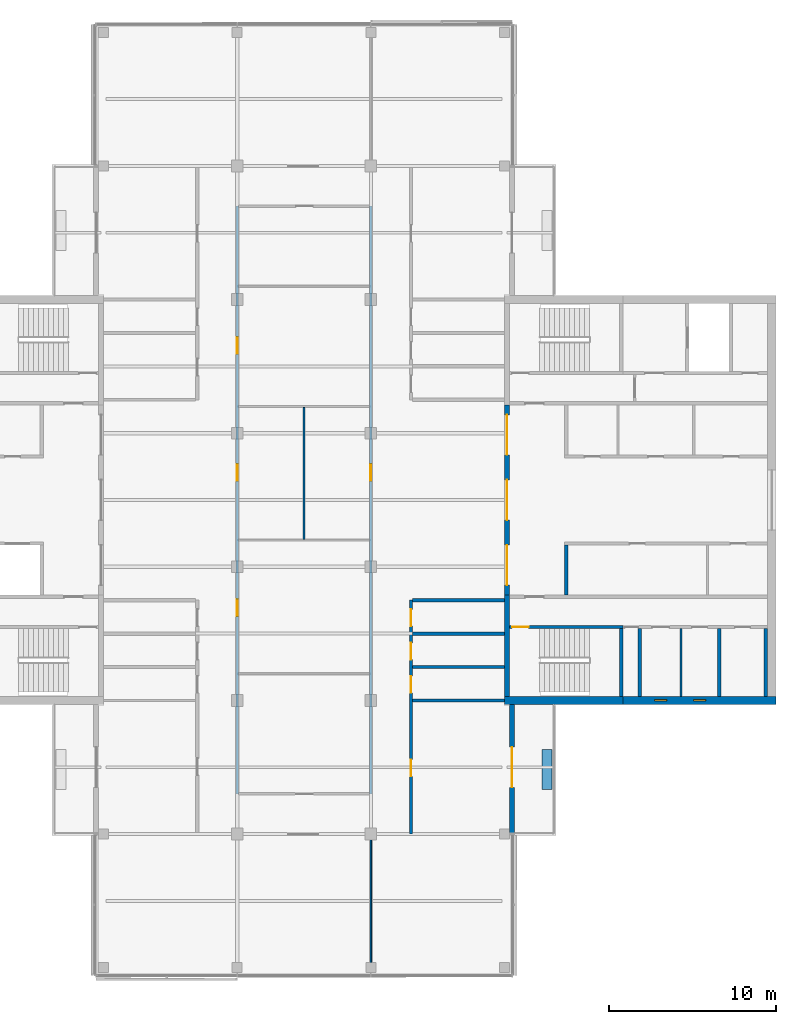
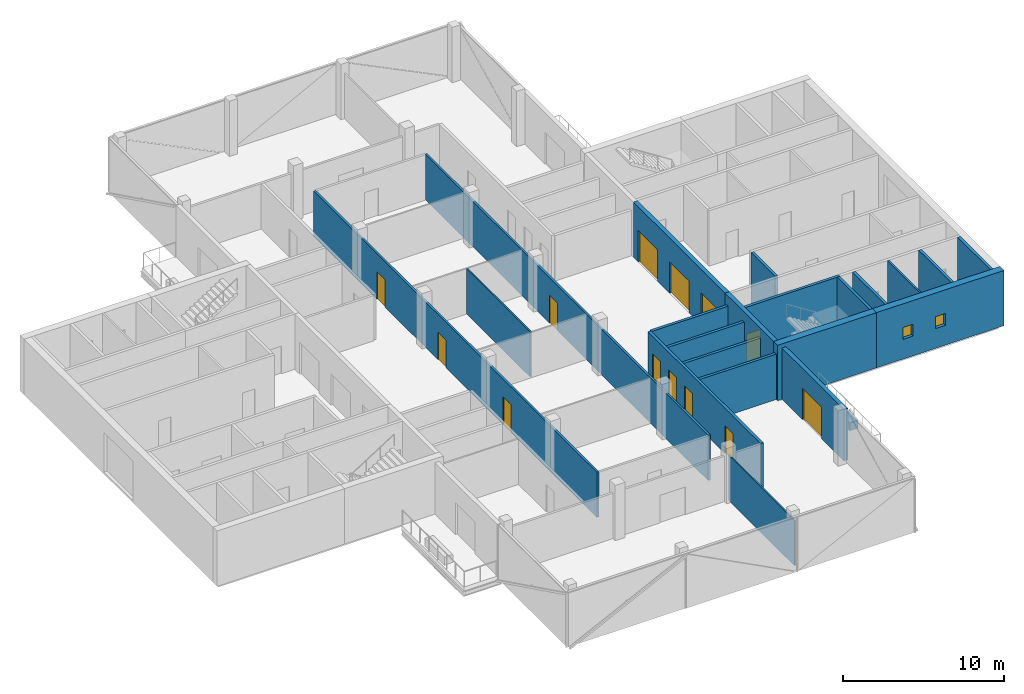
# One storey, part 6 of 12: 22 walls, 13 doors, 2 windows, 15 openings.
"""IFC4 building model written with IfcOpenShell, lengths in metres."""

from ifc_helpers import new_model, si_unit, direction, frame, frame_2d, origin, place, context, subcontext, project, spatial, rectangle, extrude, material, layer, layer_set, constituent, constituent_set, type_object, element, fill, save


model = new_model("IFC4")

# Units and contexts
model_context = context("Model", 3, precision=1e-05, world=origin(), true_north=direction((0.0, 1.0)))
body_context = subcontext(model_context, "Body", "Model", "MODEL_VIEW")
ifc_project = project(units=[si_unit("LENGTHUNIT", "METRE"), si_unit("AREAUNIT", "SQUARE_METRE"), si_unit("VOLUMEUNIT", "CUBIC_METRE"), si_unit("PLANEANGLEUNIT", "RADIAN"), si_unit("MASSUNIT", "GRAM", prefix="KILO")], contexts=[model_context])

# Site, building, storey
site_placement = place(None, origin())
site = spatial("IfcSite", under=ifc_project, at=site_placement, CompositionType="ELEMENT")
building_placement = place(site_placement, origin())
building = spatial("IfcBuilding", under=site, at=building_placement, Name="Crosswind Convention Tower", CompositionType="ELEMENT")
storey_placement = place(building_placement, frame((0.0, 0.0, 245.10009765625)))
storey = spatial("IfcBuildingStorey", under=building, at=storey_placement, Name="L52", CompositionType="ELEMENT", Elevation=245.10009765625)

# Wall
ifc_material_1 = material(Name="Concrete blockwork", Category="masonry")
ifc_layer_1 = layer(ifc_material_1, 0.199951171875)
ifc_layer_set_1 = layer_set([ifc_layer_1], Name="Blockwork partition wall 200")
wall_type_1 = type_object("IfcWallType", Name="Blockwork partition wall 200", PredefinedType="PARTITIONING", material=ifc_layer_set_1)
wall_1_placement = place(storey_placement, frame((145.10009765625, 88.25, 0.0), z_axis=(0.0, 0.0, 1.0), x_axis=(0.0, 1.0, 0.0)))
element("IfcWall", 1, at=wall_1_placement, inside=storey, type_object=wall_type_1, Name="Wall MRSE E L52", PredefinedType="PARTITIONING", context=body_context, shape_type="SweptSolid", body=[
    extrude(rectangle(XDim=4.050048828125, YDim=0.199951171875, at=frame_2d((2.02490234375, 0.0))), origin(), (0.0, 0.0, 1.0), 4.199951171875),
])

# Wall, openings, doors
ifc_layer_2 = layer(ifc_material_1, 0.199951171875)
ifc_layer_set_2 = layer_set([ifc_layer_2], Name="COMPARTMENT WALL 200 BLOCKWORK")
wall_type_2 = type_object("IfcWallType", Name="COMPARTMENT WALL 200 BLOCKWORK", PredefinedType="SOLIDWALL", material=ifc_layer_set_2)
wall_2_placement = place(storey_placement, frame((131.39990234375, 80.0, 0.0), z_axis=(0.0, 0.0, 1.0), x_axis=(0.0, 1.0, 0.0)))
wall_2 = element("IfcWall", 2, at=wall_2_placement, inside=storey, type_object=wall_type_2, Name="Compartment wall WT42", PredefinedType="SOLIDWALL", context=body_context, shape_type="SweptSolid", body=[
    extrude(rectangle(XDim=14.0, YDim=0.199951171875, at=frame_2d((7.0, 0.0))), origin(), (0.0, 0.0, 1.0), 3.442626953125),
])
opening_1_placement = place(wall_2_placement, frame((12.449951171875, 0.0, 0.0)))
opening_1 = element("IfcOpeningElement", 3, at=opening_1_placement, cuts=wall_2, Name="Opening L52-54", PredefinedType="OPENING", context=body_context, shape_type="SweptSolid", body=[
    extrude(rectangle(XDim=1.0, YDim=2.10009765625, at=frame_2d((0.5, 1.050048828125))), frame((0.0, 0.10986328125, 0.0), z_axis=(0.0, -1.0, 0.0), x_axis=(1.0, 0.0, 0.0)), (0.0, 0.0, 1.0), 0.219970703125),
])
opening_2_placement = place(wall_2_placement, frame((10.449951171875, 0.0, 0.0)))
opening_2 = element("IfcOpeningElement", 4, at=opening_2_placement, cuts=wall_2, Name="Opening L52-55", PredefinedType="OPENING", context=body_context, shape_type="SweptSolid", body=[
    extrude(rectangle(XDim=1.0, YDim=2.10009765625, at=frame_2d((0.5, 1.050048828125))), frame((0.0, 0.10986328125, 0.0), z_axis=(0.0, -1.0, 0.0), x_axis=(1.0, 0.0, 0.0)), (0.0, 0.0, 1.0), 0.219970703125),
])
opening_3_placement = place(wall_2_placement, frame((8.449951171875, 0.0, 0.0)))
opening_3 = element("IfcOpeningElement", 5, at=opening_3_placement, cuts=wall_2, Name="Opening L52-56", PredefinedType="OPENING", context=body_context, shape_type="SweptSolid", body=[
    extrude(rectangle(XDim=1.0, YDim=2.10009765625, at=frame_2d((0.5, 1.050048828125))), frame((0.0, 0.10986328125, 0.0), z_axis=(0.0, -1.0, 0.0), x_axis=(1.0, 0.0, 0.0)), (0.0, 0.0, 1.0), 0.219970703125),
])
opening_4_placement = place(wall_2_placement, frame((3.449951171875, 0.0, 0.0)))
opening_4 = element("IfcOpeningElement", 6, at=opening_4_placement, cuts=wall_2, Name="Opening L52-57", PredefinedType="OPENING", context=body_context, shape_type="SweptSolid", body=[
    extrude(rectangle(XDim=1.0, YDim=2.10009765625, at=frame_2d((0.5, 1.050048828125))), frame((0.0, 0.10986328125, 0.0), z_axis=(0.0, -1.0, 0.0), x_axis=(1.0, 0.0, 0.0)), (0.0, 0.0, 1.0), 0.219970703125),
])
ifc_material_2 = material(Name="Steel fire door", Category="steel")
door_type_1 = type_object("IfcDoorType", Name="PLANT ROOM DOOR 1000X2100 FD60", OperationType="NOTDEFINED", PredefinedType="DOOR", material=ifc_material_2)
door_1_placement = place(opening_1_placement, frame((1.0, 0.0, 0.0), z_axis=(0.0, 0.0, 1.0), x_axis=(-1.0, 0.0, 0.0)))
door_1 = element("IfcDoor", 7, at=door_1_placement, inside=storey, type_object=door_type_1, Name="Door L52-54", ObjectType="D43", OperationType="SINGLE_SWING_RIGHT", OverallHeight=2.10009765625, OverallWidth=1.0, PredefinedType="DOOR", context=body_context, shape_type="SweptSolid", body=[
    extrude(rectangle(XDim=1.0, YDim=2.10009765625, at=frame_2d((0.5, 1.050048828125))), frame((0.0, 0.02490234375, 0.0), z_axis=(0.0, -1.0, 0.0), x_axis=(1.0, 0.0, 0.0)), (0.0, 0.0, 1.0), 0.050048828125),
])
fill(opening_1, door_1)
door_2_placement = place(opening_2_placement, frame((1.0, 0.0, 0.0), z_axis=(0.0, 0.0, 1.0), x_axis=(-1.0, 0.0, 0.0)))
door_2 = element("IfcDoor", 8, at=door_2_placement, inside=storey, type_object=door_type_1, Name="Door L52-55", ObjectType="D43", OperationType="SINGLE_SWING_RIGHT", OverallHeight=2.10009765625, OverallWidth=1.0, PredefinedType="DOOR", context=body_context, shape_type="SweptSolid", body=[
    extrude(rectangle(XDim=1.0, YDim=2.10009765625, at=frame_2d((0.5, 1.050048828125))), frame((0.0, 0.02490234375, 0.0), z_axis=(0.0, -1.0, 0.0), x_axis=(1.0, 0.0, 0.0)), (0.0, 0.0, 1.0), 0.050048828125),
])
fill(opening_2, door_2)
door_3_placement = place(opening_3_placement, frame((1.0, 0.0, 0.0), z_axis=(0.0, 0.0, 1.0), x_axis=(-1.0, 0.0, 0.0)))
door_3 = element("IfcDoor", 9, at=door_3_placement, inside=storey, type_object=door_type_1, Name="Door L52-56", ObjectType="D43", OperationType="SINGLE_SWING_RIGHT", OverallHeight=2.10009765625, OverallWidth=1.0, PredefinedType="DOOR", context=body_context, shape_type="SweptSolid", body=[
    extrude(rectangle(XDim=1.0, YDim=2.10009765625, at=frame_2d((0.5, 1.050048828125))), frame((0.0, 0.02490234375, 0.0), z_axis=(0.0, -1.0, 0.0), x_axis=(1.0, 0.0, 0.0)), (0.0, 0.0, 1.0), 0.050048828125),
])
fill(opening_3, door_3)
ifc_material_3 = material(Name="Timber fire door", Category="wood")
door_type_2 = type_object("IfcDoorType", Name="TENANCY ENTRANCE DOOR 1000X2100 FD30S", OperationType="NOTDEFINED", PredefinedType="DOOR", material=ifc_material_3)
door_4_placement = place(opening_4_placement, frame((1.0, 0.0, 0.0), z_axis=(0.0, 0.0, 1.0), x_axis=(-1.0, 0.0, 0.0)))
door_4 = element("IfcDoor", 10, at=door_4_placement, inside=storey, type_object=door_type_2, Name="Door L52-57", ObjectType="D41", OperationType="SINGLE_SWING_LEFT", OverallHeight=2.10009765625, OverallWidth=1.0, PredefinedType="DOOR", context=body_context, shape_type="SweptSolid", body=[
    extrude(rectangle(XDim=1.0, YDim=2.10009765625, at=frame_2d((0.5, 1.050048828125))), frame((0.0, 0.02490234375, 0.0), z_axis=(0.0, -1.0, 0.0), x_axis=(1.0, 0.0, 0.0)), (0.0, 0.0, 1.0), 0.050048828125),
])
fill(opening_4, door_4)

# Walls
for number, where, z_axis, x_axis, name in (
    (11, (131.5, 88.0, 0.0), (0.0, 0.0, 1.0), (1.0, 0.0, 0.0), "Compartment wall WT42"),
    (12, (131.5, 90.0, 0.0), (0.0, 0.0, 1.0), (1.0, 0.0, 0.0), "Compartment wall WT42"),
    (13, (131.5, 92.0, 0.0), (0.0, 0.0, 1.0), (1.0, 0.0, 0.0), "Compartment wall WT42"),
    (14, (131.5, 94.0, 0.0), (0.0, 0.0, 1.0), (1.0, 0.0, 0.0), "Compartment wall WT42"),
):
    element("IfcWall", number, at=place(storey_placement, frame(where, z_axis=z_axis, x_axis=x_axis)), inside=storey, type_object=wall_type_2, Name=name, PredefinedType="SOLIDWALL", context=body_context, shape_type="SweptSolid", body=[
        extrude(rectangle(XDim=5.5, YDim=0.199951171875, at=frame_2d((2.75, 0.0))), origin(), (0.0, 0.0, 1.0), 3.442626953125),
    ])

# Wall, openings, doors
ifc_material_4 = material(Name="Concrete C50/60", Category="concrete")
ifc_layer_3 = layer(ifc_material_4, 0.300048828125)
ifc_layer_set_3 = layer_set([ifc_layer_3], Name="Concrete C50/60")
wall_type_3 = type_object("IfcWallType", Name="Concrete inner core wall 300", PredefinedType="SHEAR", material=ifc_layer_set_3)
wall_3_placement = place(storey_placement, frame((137.14990234375, 94.300048828125, 0.0), z_axis=(0.0, 0.0, 1.0), x_axis=(0.0, 1.0, 0.0)))
wall_3 = element("IfcWall", 15, at=wall_3_placement, inside=storey, type_object=wall_type_3, Name="Wall SCR E L52", PredefinedType="SHEAR", context=body_context, shape_type="SweptSolid", body=[
    extrude(rectangle(XDim=11.39990234375, YDim=0.300048828125, at=frame_2d((5.699951171875, 0.0))), origin(), (0.0, 0.0, 1.0), 4.199951171875),
])
opening_5_placement = place(wall_3_placement, frame((0.60009765625, 0.0, 0.0)))
opening_5 = element("IfcOpeningElement", 16, at=opening_5_placement, cuts=wall_3, Name="Opening D100", PredefinedType="OPENING", context=body_context, shape_type="SweptSolid", body=[
    extrude(rectangle(XDim=2.39990234375, YDim=2.39990234375, at=frame_2d((1.199951171875, 1.199951171875))), frame((0.0, 0.159912109375, 0.0), z_axis=(0.0, -1.0, 0.0), x_axis=(1.0, 0.0, 0.0)), (0.0, 0.0, 1.0), 0.320068359375),
])
opening_6_placement = place(wall_3_placement, frame((4.5, 0.0, 0.0)))
opening_6 = element("IfcOpeningElement", 17, at=opening_6_placement, cuts=wall_3, Name="Opening D100", PredefinedType="OPENING", context=body_context, shape_type="SweptSolid", body=[
    extrude(rectangle(XDim=2.39990234375, YDim=2.39990234375, at=frame_2d((1.199951171875, 1.199951171875))), frame((0.0, 0.159912109375, 0.0), z_axis=(0.0, -1.0, 0.0), x_axis=(1.0, 0.0, 0.0)), (0.0, 0.0, 1.0), 0.320068359375),
])
opening_7_placement = place(wall_3_placement, frame((8.39990234375, 0.0, 0.0)))
opening_7 = element("IfcOpeningElement", 18, at=opening_7_placement, cuts=wall_3, Name="Opening D100", PredefinedType="OPENING", context=body_context, shape_type="SweptSolid", body=[
    extrude(rectangle(XDim=2.39990234375, YDim=2.39990234375, at=frame_2d((1.199951171875, 1.199951171875))), frame((0.0, 0.159912109375, 0.0), z_axis=(0.0, -1.0, 0.0), x_axis=(1.0, 0.0, 0.0)), (0.0, 0.0, 1.0), 0.320068359375),
])
ifc_material_5 = material(Name="Steel fire door with glazed vision panels", Category="steel")
door_type_3 = type_object("IfcDoorType", Name="Fire-rated double door 2400x2400", OperationType="DOUBLE_DOOR_SINGLE_SWING", PredefinedType="DOOR", material=ifc_material_5)
door_5_placement = place(opening_5_placement, origin())
door_5 = element("IfcDoor", 19, at=door_5_placement, inside=storey, type_object=door_type_3, Name="Lobby door 1 L52", ObjectType="D100", OperationType="DOUBLE_DOOR_SINGLE_SWING", OverallHeight=2.39990234375, OverallWidth=2.39990234375, PredefinedType="DOOR", context=body_context, shape_type="SweptSolid", body=[
    extrude(rectangle(XDim=2.39990234375, YDim=2.39990234375, at=frame_2d((1.199951171875, 1.199951171875))), frame((0.0, 0.02490234375, 0.0), z_axis=(0.0, -1.0, 0.0), x_axis=(1.0, 0.0, 0.0)), (0.0, 0.0, 1.0), 0.050048828125),
])
fill(opening_5, door_5)
door_6_placement = place(opening_6_placement, origin())
door_6 = element("IfcDoor", 20, at=door_6_placement, inside=storey, type_object=door_type_3, Name="Lobby door 2 L52", ObjectType="D100", OperationType="DOUBLE_DOOR_SINGLE_SWING", OverallHeight=2.39990234375, OverallWidth=2.39990234375, PredefinedType="DOOR", context=body_context, shape_type="SweptSolid", body=[
    extrude(rectangle(XDim=2.39990234375, YDim=2.39990234375, at=frame_2d((1.199951171875, 1.199951171875))), frame((0.0, 0.02490234375, 0.0), z_axis=(0.0, -1.0, 0.0), x_axis=(1.0, 0.0, 0.0)), (0.0, 0.0, 1.0), 0.050048828125),
])
fill(opening_6, door_6)
door_7_placement = place(opening_7_placement, origin())
door_7 = element("IfcDoor", 21, at=door_7_placement, inside=storey, type_object=door_type_3, Name="Lobby door 3 L52", ObjectType="D100", OperationType="DOUBLE_DOOR_SINGLE_SWING", OverallHeight=2.39990234375, OverallWidth=2.39990234375, PredefinedType="DOOR", context=body_context, shape_type="SweptSolid", body=[
    extrude(rectangle(XDim=2.39990234375, YDim=2.39990234375, at=frame_2d((1.199951171875, 1.199951171875))), frame((0.0, 0.02490234375, 0.0), z_axis=(0.0, -1.0, 0.0), x_axis=(1.0, 0.0, 0.0)), (0.0, 0.0, 1.0), 0.050048828125),
])
fill(opening_7, door_7)

# Walls
wall_4_placement = place(storey_placement, frame((137.14990234375, 88.25, 0.0), z_axis=(0.0, 0.0, 1.0), x_axis=(0.0, 1.0, 0.0)))
element("IfcWall", 22, at=wall_4_placement, inside=storey, type_object=wall_type_3, Name="Wall EM E L52", PredefinedType="SHEAR", context=body_context, shape_type="SweptSolid", body=[
    extrude(rectangle(XDim=6.050048828125, YDim=0.300048828125, at=frame_2d((3.02490234375, 0.0))), origin(), (0.0, 0.0, 1.0), 4.199951171875),
])
ifc_layer_4 = layer(ifc_material_4, 0.199951171875)
ifc_layer_set_4 = layer_set([ifc_layer_4], Name="Concrete C50/60")
wall_type_4 = type_object("IfcWallType", Name="Concrete shaft and stair wall 200", PredefinedType="SHEAR", material=ifc_layer_set_4)
wall_5_placement = place(storey_placement, frame((140.699951171875, 94.300048828125, 0.0), z_axis=(0.0, 0.0, 1.0), x_axis=(0.0, 1.0, 0.0)))
element("IfcWall", 23, at=wall_5_placement, inside=storey, type_object=wall_type_4, Name="Wall RMEND E L52", PredefinedType="SHEAR", context=body_context, shape_type="SweptSolid", body=[
    extrude(rectangle(XDim=3.0, YDim=0.199951171875, at=frame_2d((1.5, 0.0))), origin(), (0.0, 0.0, 1.0), 4.199951171875),
])
for number, where, z_axis, x_axis, name in (
    (24, (144.0, 88.25, 0.0), (0.0, 0.0, 1.0), (0.0, 1.0, 0.0), "Wall MSE E L52"),
    (25, (149.85009765625, 88.25, 0.0), (0.0, 0.0, 1.0), (0.0, 1.0, 0.0), "Wall MFSW E L52"),
    (26, (152.64990234375, 88.25, 0.0), (0.0, 0.0, 1.0), (0.0, 1.0, 0.0), "Wall MFSE E L52"),
):
    element("IfcWall", number, at=place(storey_placement, frame(where, z_axis=z_axis, x_axis=x_axis)), inside=storey, type_object=wall_type_4, Name=name, PredefinedType="SHEAR", context=body_context, shape_type="SweptSolid", body=[
        extrude(rectangle(XDim=4.050048828125, YDim=0.199951171875, at=frame_2d((2.02490234375, 0.0))), origin(), (0.0, 0.0, 1.0), 4.199951171875),
    ])

# Wall, opening, door
wall_6_placement = place(storey_placement, frame((137.300048828125, 92.39990234375, 0.0), z_axis=(0.0, 0.0, 1.0), x_axis=(1.0, 0.0, 0.0)))
wall_6 = element("IfcWall", 27, at=wall_6_placement, inside=storey, type_object=wall_type_4, Name="Wall MCW E L52", PredefinedType="SHEAR", context=body_context, shape_type="SweptSolid", body=[
    extrude(rectangle(XDim=6.800048828125, YDim=0.199951171875, at=frame_2d((3.39990234375, 0.0))), origin(), (0.0, 0.0, 1.0), 4.199951171875),
])
opening_8_placement = place(wall_6_placement, frame((0.14990234375, 0.0, 0.0)))
opening_8 = element("IfcOpeningElement", 28, at=opening_8_placement, cuts=wall_6, Name="Opening D103", PredefinedType="OPENING", context=body_context, shape_type="SweptSolid", body=[
    extrude(rectangle(XDim=1.0, YDim=2.10009765625, at=frame_2d((0.5, 1.050048828125))), frame((0.0, 0.10986328125, 0.0), z_axis=(0.0, -1.0, 0.0), x_axis=(1.0, 0.0, 0.0)), (0.0, 0.0, 1.0), 0.219970703125),
])
door_type_4 = type_object("IfcDoorType", Name="Fire-rated single door 1000x2100", OperationType="NOTDEFINED", PredefinedType="DOOR", material=ifc_material_2)
door_8_placement = place(opening_8_placement, frame((1.0, 0.0, 0.0), z_axis=(0.0, 0.0, 1.0), x_axis=(-1.0, 0.0, 0.0)))
door_8 = element("IfcDoor", 29, at=door_8_placement, inside=storey, type_object=door_type_4, Name="Stair ST2 door L52", ObjectType="D103", OperationType="SINGLE_SWING_RIGHT", OverallHeight=2.10009765625, OverallWidth=1.0, PredefinedType="DOOR", context=body_context, shape_type="SweptSolid", body=[
    extrude(rectangle(XDim=1.0, YDim=2.10009765625, at=frame_2d((0.5, 1.050048828125))), frame((0.0, 0.02490234375, 0.0), z_axis=(0.0, -1.0, 0.0), x_axis=(1.0, 0.0, 0.0)), (0.0, 0.0, 1.0), 0.050048828125),
])
fill(opening_8, door_8)

# Walls
ifc_material_6 = material(Name="Gypsum plasterboard partition", Category="gypsum")
ifc_layer_5 = layer(ifc_material_6, 0.125)
ifc_layer_set_5 = layer_set([ifc_layer_5], Name="Drywall partition wall 125")
wall_type_5 = type_object("IfcWallType", Name="Drywall partition wall 125", PredefinedType="PARTITIONING", material=ifc_layer_set_5)
wall_7_placement = place(storey_placement, frame((147.56591796875, 88.25, 0.0), z_axis=(0.0, 0.0, 1.0), x_axis=(0.0, 1.0, 0.0)))
element("IfcWall", 30, at=wall_7_placement, inside=storey, type_object=wall_type_5, Name="Wall MWP1 E L52", PredefinedType="PARTITIONING", context=body_context, shape_type="SweptSolid", body=[
    extrude(rectangle(XDim=4.050048828125, YDim=0.125, at=frame_2d((2.02490234375, 0.0))), origin(), (0.0, 0.0, 1.0), 4.199951171875),
])
ifc_material_7 = material(Name="Plasterboard partition", Category="gypsum")
ifc_layer_6 = layer(ifc_material_7, 0.10009765625)
ifc_layer_set_6 = layer_set([ifc_layer_6], Name="PARTITION 100 METAL STUD")
wall_type_6 = type_object("IfcWallType", Name="PARTITION 100 METAL STUD", PredefinedType="PARTITIONING", material=ifc_layer_set_6)
wall_8_placement = place(storey_placement, frame((125.0, 97.64990234375, 0.0), z_axis=(0.0, 0.0, 1.0), x_axis=(0.0, 1.0, 0.0)))
element("IfcWall", 31, at=wall_8_placement, inside=storey, type_object=wall_type_6, Name="Partition wall WT40", PredefinedType="PARTITIONING", context=body_context, shape_type="SweptSolid", body=[
    extrude(rectangle(XDim=7.900146484375, YDim=0.10009765625, at=frame_2d((3.9501953125, 0.0))), origin(), (0.0, 0.0, 1.0), 3.442626953125),
])
wall_9_placement = place(storey_placement, frame((129.0, 71.72998046875, 0.0), z_axis=(0.0, 0.0, 1.0), x_axis=(0.0, 1.0, 0.0)))
element("IfcWall", 32, at=wall_9_placement, inside=storey, type_object=wall_type_6, Name="Partition wall WT40", PredefinedType="PARTITIONING", context=body_context, shape_type="SweptSolid", body=[
    extrude(rectangle(XDim=8.195068359375, YDim=0.10009765625, at=frame_2d((4.09765625, 0.0))), origin(), (0.0, 0.0, 1.0), 3.442626953125),
])
ifc_material_8 = material(Name="Concrete C30/37", Category="concrete")
ifc_layer_7 = layer(ifc_material_8, 0.60009765625)
ifc_layer_set_7 = layer_set([ifc_layer_7], Name="Concrete C30/37")
wall_type_7 = type_object("IfcWallType", Name="PLANTER BOX WALL 600", PredefinedType="SOLIDWALL", material=ifc_layer_set_7)
wall_10_placement = place(storey_placement, frame((139.550048828125, 82.675048828125, 0.0), z_axis=(0.0, 0.0, 1.0), x_axis=(0.0, 1.0, 0.0)))
element("IfcWall", 33, at=wall_10_placement, inside=storey, type_object=wall_type_7, Name="PLANTER L52 S-E.1-2", PredefinedType="SOLIDWALL", context=body_context, shape_type="SweptSolid", body=[
    extrude(rectangle(XDim=2.39990234375, YDim=0.60009765625, at=frame_2d((1.199951171875, 0.0))), origin(), (0.0, 0.0, 1.0), 0.599853515625),
])

# Wall, openings, doors
ifc_material_9 = material(Name="Fire-board partition with mineral wool", Category="gypsum")
ifc_layer_8 = layer(ifc_material_9, 0.14990234375)
ifc_layer_set_8 = layer_set([ifc_layer_8], Name="TENANCY WALL 150 TWO-HOUR BOARD")
wall_type_8 = type_object("IfcWallType", Name="TENANCY WALL 150 TWO-HOUR BOARD", PredefinedType="PARTITIONING", material=ifc_layer_set_8)
wall_11_placement = place(storey_placement, frame((121.0, 82.39990234375, 0.0), z_axis=(0.0, 0.0, 1.0), x_axis=(0.0, 1.0, 0.0)))
wall_11 = element("IfcWall", 34, at=wall_11_placement, inside=storey, type_object=wall_type_8, Name="Tenancy wall WT41", PredefinedType="PARTITIONING", context=body_context, shape_type="SweptSolid", body=[
    extrude(rectangle(XDim=35.2001953125, YDim=0.14990234375, at=frame_2d((17.60009765625, 0.0))), origin(), (0.0, 0.0, 1.0), 3.442626953125),
])
opening_9_placement = place(wall_11_placement, frame((10.64990234375, 0.0, 0.0)))
opening_9 = element("IfcOpeningElement", 35, at=opening_9_placement, cuts=wall_11, Name="Opening L52-68", PredefinedType="OPENING", context=body_context, shape_type="SweptSolid", body=[
    extrude(rectangle(XDim=1.0, YDim=2.10009765625, at=frame_2d((0.5, 1.050048828125))), frame((0.0, 0.0849609375, 0.0), z_axis=(0.0, -1.0, 0.0), x_axis=(1.0, 0.0, 0.0)), (0.0, 0.0, 1.0), 0.169921875),
])
opening_10_placement = place(wall_11_placement, frame((18.75, 0.0, 0.0)))
opening_10 = element("IfcOpeningElement", 36, at=opening_10_placement, cuts=wall_11, Name="Opening L52-69", PredefinedType="OPENING", context=body_context, shape_type="SweptSolid", body=[
    extrude(rectangle(XDim=1.0, YDim=2.10009765625, at=frame_2d((0.5, 1.050048828125))), frame((0.0, 0.0849609375, 0.0), z_axis=(0.0, -1.0, 0.0), x_axis=(1.0, 0.0, 0.0)), (0.0, 0.0, 1.0), 0.169921875),
])
opening_11_placement = place(wall_11_placement, frame((26.35009765625, 0.0, 0.0)))
opening_11 = element("IfcOpeningElement", 37, at=opening_11_placement, cuts=wall_11, Name="Opening L52-71", PredefinedType="OPENING", context=body_context, shape_type="SweptSolid", body=[
    extrude(rectangle(XDim=1.0, YDim=2.10009765625, at=frame_2d((0.5, 1.050048828125))), frame((0.0, 0.0849609375, 0.0), z_axis=(0.0, -1.0, 0.0), x_axis=(1.0, 0.0, 0.0)), (0.0, 0.0, 1.0), 0.169921875),
])
door_9_placement = place(opening_9_placement, frame((1.0, 0.0, 0.0), z_axis=(0.0, 0.0, 1.0), x_axis=(-1.0, 0.0, 0.0)))
door_9 = element("IfcDoor", 38, at=door_9_placement, inside=storey, type_object=door_type_2, Name="Door L52-68", ObjectType="D41", OperationType="SINGLE_SWING_LEFT", OverallHeight=2.10009765625, OverallWidth=1.0, PredefinedType="DOOR", context=body_context, shape_type="SweptSolid", body=[
    extrude(rectangle(XDim=1.0, YDim=2.10009765625, at=frame_2d((0.5, 1.050048828125))), frame((0.0, 0.02490234375, 0.0), z_axis=(0.0, -1.0, 0.0), x_axis=(1.0, 0.0, 0.0)), (0.0, 0.0, 1.0), 0.050048828125),
])
fill(opening_9, door_9)
door_10_placement = place(opening_10_placement, frame((1.0, 0.0, 0.0), z_axis=(0.0, 0.0, 1.0), x_axis=(-1.0, 0.0, 0.0)))
door_10 = element("IfcDoor", 39, at=door_10_placement, inside=storey, type_object=door_type_2, Name="Door L52-69", ObjectType="D41", OperationType="SINGLE_SWING_LEFT", OverallHeight=2.10009765625, OverallWidth=1.0, PredefinedType="DOOR", context=body_context, shape_type="SweptSolid", body=[
    extrude(rectangle(XDim=1.0, YDim=2.10009765625, at=frame_2d((0.5, 1.050048828125))), frame((0.0, 0.02490234375, 0.0), z_axis=(0.0, -1.0, 0.0), x_axis=(1.0, 0.0, 0.0)), (0.0, 0.0, 1.0), 0.050048828125),
])
fill(opening_10, door_10)
door_11_placement = place(opening_11_placement, origin())
door_11 = element("IfcDoor", 40, at=door_11_placement, inside=storey, type_object=door_type_2, Name="Door L52-71", ObjectType="D41", OperationType="SINGLE_SWING_RIGHT", OverallHeight=2.10009765625, OverallWidth=1.0, PredefinedType="DOOR", context=body_context, shape_type="SweptSolid", body=[
    extrude(rectangle(XDim=1.0, YDim=2.10009765625, at=frame_2d((0.5, 1.050048828125))), frame((0.0, 0.02490234375, 0.0), z_axis=(0.0, -1.0, 0.0), x_axis=(1.0, 0.0, 0.0)), (0.0, 0.0, 1.0), 0.050048828125),
])
fill(opening_11, door_11)

# Wall, opening, door
wall_12_placement = place(storey_placement, frame((129.0, 82.39990234375, 0.0), z_axis=(0.0, 0.0, 1.0), x_axis=(0.0, 1.0, 0.0)))
wall_12 = element("IfcWall", 41, at=wall_12_placement, inside=storey, type_object=wall_type_8, Name="Tenancy wall WT41", PredefinedType="PARTITIONING", context=body_context, shape_type="SweptSolid", body=[
    extrude(rectangle(XDim=35.2001953125, YDim=0.14990234375, at=frame_2d((17.60009765625, 0.0))), origin(), (0.0, 0.0, 1.0), 3.442626953125),
])
opening_12_placement = place(wall_12_placement, frame((18.75, 0.0, 0.0)))
opening_12 = element("IfcOpeningElement", 42, at=opening_12_placement, cuts=wall_12, Name="Opening L52-70", PredefinedType="OPENING", context=body_context, shape_type="SweptSolid", body=[
    extrude(rectangle(XDim=1.0, YDim=2.10009765625, at=frame_2d((0.5, 1.050048828125))), frame((0.0, 0.0849609375, 0.0), z_axis=(0.0, -1.0, 0.0), x_axis=(1.0, 0.0, 0.0)), (0.0, 0.0, 1.0), 0.169921875),
])
door_12_placement = place(opening_12_placement, origin())
door_12 = element("IfcDoor", 43, at=door_12_placement, inside=storey, type_object=door_type_2, Name="Door L52-70", ObjectType="D41", OperationType="SINGLE_SWING_RIGHT", OverallHeight=2.10009765625, OverallWidth=1.0, PredefinedType="DOOR", context=body_context, shape_type="SweptSolid", body=[
    extrude(rectangle(XDim=1.0, YDim=2.10009765625, at=frame_2d((0.5, 1.050048828125))), frame((0.0, 0.02490234375, 0.0), z_axis=(0.0, -1.0, 0.0), x_axis=(1.0, 0.0, 0.0)), (0.0, 0.0, 1.0), 0.050048828125),
])
fill(opening_12, door_12)

ifc_material_10 = material(Name="Terracotta rainscreen", Category="ceramic")
ifc_layer_9 = layer(ifc_material_10, 0.02001953125)
ifc_material_11 = material(Name="Mineral wool insulation", Category="insulation")
ifc_layer_10 = layer(ifc_material_11, 0.10009765625)
ifc_layer_11 = layer(ifc_material_1, 0.179931640625)
ifc_layer_set_9 = layer_set([ifc_layer_9, ifc_layer_10, ifc_layer_11], Name="TERRACOTTA INFILL WALL 300")
wall_type_9 = type_object("IfcWallType", Name="TERRACOTTA INFILL WALL 300", PredefinedType="SOLIDWALL", material=ifc_layer_set_9)
wall_13_placement = place(storey_placement, frame((137.449951171875, 80.034912109375, 0.0), z_axis=(0.0, 0.0, 1.0), x_axis=(0.0, 1.0, 0.0)))
wall_13 = element("IfcWall", 44, at=wall_13_placement, inside=storey, type_object=wall_type_9, Name="Notch front wall L52 S-E.1-2", PredefinedType="SOLIDWALL", context=body_context, shape_type="SweptSolid", body=[
    extrude(rectangle(XDim=7.715087890625, YDim=0.300048828125, at=frame_2d((3.857421875, 0.0))), origin(), (0.0, 0.0, 1.0), 3.89990234375),
])
opening_13_placement = place(wall_13_placement, frame((2.764892578125, 0.0, 0.0)))
opening_13 = element("IfcOpeningElement", 45, at=opening_13_placement, cuts=wall_13, Name="Opening D143", PredefinedType="OPENING", context=body_context, shape_type="SweptSolid", body=[
    extrude(rectangle(XDim=2.39990234375, YDim=2.39990234375, at=frame_2d((1.199951171875, 1.199951171875))), frame((0.0, 0.159912109375, 0.0), z_axis=(0.0, -1.0, 0.0), x_axis=(1.0, 0.0, 0.0)), (0.0, 0.0, 1.0), 0.320068359375),
])
ifc_material_12 = material(Name="Aluminium glazed door", Category="aluminium")
door_type_5 = type_object("IfcDoorType", Name="WINTER GARDEN SLIDING DOOR 2400X2400", OperationType="SLIDING_TO_LEFT", PredefinedType="DOOR", material=ifc_material_12)
door_13_placement = place(opening_13_placement, frame((2.39990234375, 0.0, 0.0), z_axis=(0.0, 0.0, 1.0), x_axis=(-1.0, 0.0, 0.0)))
door_13 = element("IfcDoor", 46, at=door_13_placement, inside=storey, type_object=door_type_5, Name="D143 winter garden door L52 S-E.1-2", ObjectType="D143", OperationType="SLIDING_TO_LEFT", OverallHeight=2.39990234375, OverallWidth=2.39990234375, PredefinedType="DOOR", context=body_context, shape_type="SweptSolid", body=[
    extrude(rectangle(XDim=2.39990234375, YDim=2.39990234375, at=frame_2d((1.199951171875, 1.199951171875))), frame((0.0, 0.02490234375, 0.0), z_axis=(0.0, -1.0, 0.0), x_axis=(1.0, 0.0, 0.0)), (0.0, 0.0, 1.0), 0.050048828125),
])
fill(opening_13, door_13)

# Wall
ifc_material_13 = material(Name="Concrete C60/75", Category="concrete")
ifc_constituent_1 = constituent(ifc_material_13, Name="Structure")
ifc_constituent_2 = constituent(ifc_material_10, Name="Facing")
ifc_constituent_set = constituent_set(constituents=[ifc_constituent_1, ifc_constituent_2], Name="Concrete C60/75, Terracotta rainscreen")
wall_type_10 = type_object("IfcWallType", Name="Terracotta rainscreen on concrete core wall 500", PredefinedType="SHEAR", material=ifc_constituent_set)
wall_14_placement = place(storey_placement, frame((137.0, 88.0, 0.0), z_axis=(0.0, 0.0, 1.0), x_axis=(1.0, 0.0, 0.0)))
element("IfcWall", 47, at=wall_14_placement, inside=storey, type_object=wall_type_10, Name="Wall S1 E L52", PredefinedType="SHEAR", context=body_context, shape_type="SweptSolid", body=[
    extrude(rectangle(XDim=7.10009765625, YDim=0.5, at=frame_2d((3.550048828125, 0.0))), origin(), (0.0, 0.0, 1.0), 4.199951171875),
])

# Wall, openings, windows
wall_15_placement = place(storey_placement, frame((144.10009765625, 88.0, 0.0), z_axis=(0.0, 0.0, 1.0), x_axis=(1.0, 0.0, 0.0)))
wall_15 = element("IfcWall", 48, at=wall_15_placement, inside=storey, type_object=wall_type_10, Name="Wall S2 E L52", PredefinedType="SHEAR", context=body_context, shape_type="SweptSolid", body=[
    extrude(rectangle(XDim=9.14990234375, YDim=0.5, at=frame_2d((4.574951171875, 0.0))), origin(), (0.0, 0.0, 1.0), 4.199951171875),
])
opening_14_placement = place(wall_15_placement, frame((1.90185546875, 0.0, 1.5)))
opening_14 = element("IfcOpeningElement", 49, at=opening_14_placement, cuts=wall_15, Name="Opening W2", PredefinedType="OPENING", context=body_context, shape_type="SweptSolid", body=[
    extrude(rectangle(XDim=0.699951171875, YDim=0.89990234375, at=frame_2d((0.35009765625, 0.449951171875))), frame((0.0, 0.260009765625, 0.0), z_axis=(0.0, -1.0, 0.0), x_axis=(1.0, 0.0, 0.0)), (0.0, 0.0, 1.0), 0.52001953125),
])
opening_15_placement = place(wall_15_placement, frame((4.2392578125, 0.0, 1.5)))
opening_15 = element("IfcOpeningElement", 50, at=opening_15_placement, cuts=wall_15, Name="Opening W2", PredefinedType="OPENING", context=body_context, shape_type="SweptSolid", body=[
    extrude(rectangle(XDim=0.699951171875, YDim=0.89990234375, at=frame_2d((0.35009765625, 0.449951171875))), frame((0.0, 0.260009765625, 0.0), z_axis=(0.0, -1.0, 0.0), x_axis=(1.0, 0.0, 0.0)), (0.0, 0.0, 1.0), 0.52001953125),
])
ifc_material_14 = material(Name="Obscure glass in aluminium frame", Category="aluminium")
window_type = type_object("IfcWindowType", Name="WC window 700x900", PartitioningType="SINGLE_PANEL", PredefinedType="WINDOW", material=ifc_material_14)
window_1_placement = place(opening_14_placement, origin())
window_1 = element("IfcWindow", 51, at=window_1_placement, inside=storey, type_object=window_type, Name="WC window L52", ObjectType="W2", OverallHeight=0.89990234375, OverallWidth=0.699951171875, PartitioningType="SINGLE_PANEL", PredefinedType="WINDOW", context=body_context, shape_type="SweptSolid", body=[
    extrude(rectangle(XDim=0.699951171875, YDim=0.89990234375, at=frame_2d((0.35009765625, 0.449951171875))), frame((0.0, 0.030029296875, 0.0), z_axis=(0.0, -1.0, 0.0), x_axis=(1.0, 0.0, 0.0)), (0.0, 0.0, 1.0), 0.06005859375),
])
fill(opening_14, window_1)
window_2_placement = place(opening_15_placement, origin())
window_2 = element("IfcWindow", 52, at=window_2_placement, inside=storey, type_object=window_type, Name="WC window L52", ObjectType="W2", OverallHeight=0.89990234375, OverallWidth=0.699951171875, PartitioningType="SINGLE_PANEL", PredefinedType="WINDOW", context=body_context, shape_type="SweptSolid", body=[
    extrude(rectangle(XDim=0.699951171875, YDim=0.89990234375, at=frame_2d((0.35009765625, 0.449951171875))), frame((0.0, 0.030029296875, 0.0), z_axis=(0.0, -1.0, 0.0), x_axis=(1.0, 0.0, 0.0)), (0.0, 0.0, 1.0), 0.06005859375),
])
fill(opening_15, window_2)

save(model, "model.ifc")
